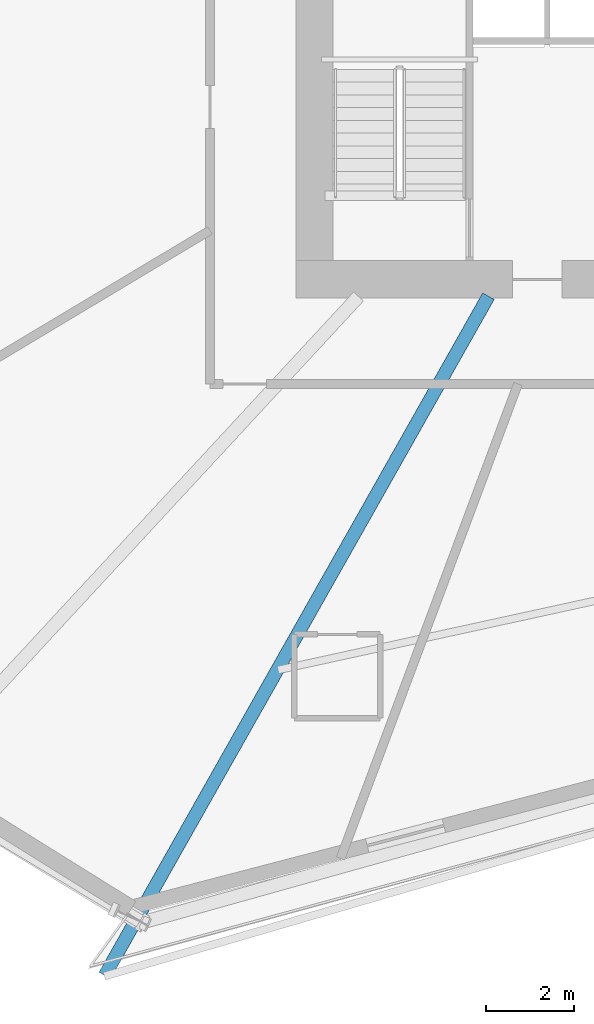
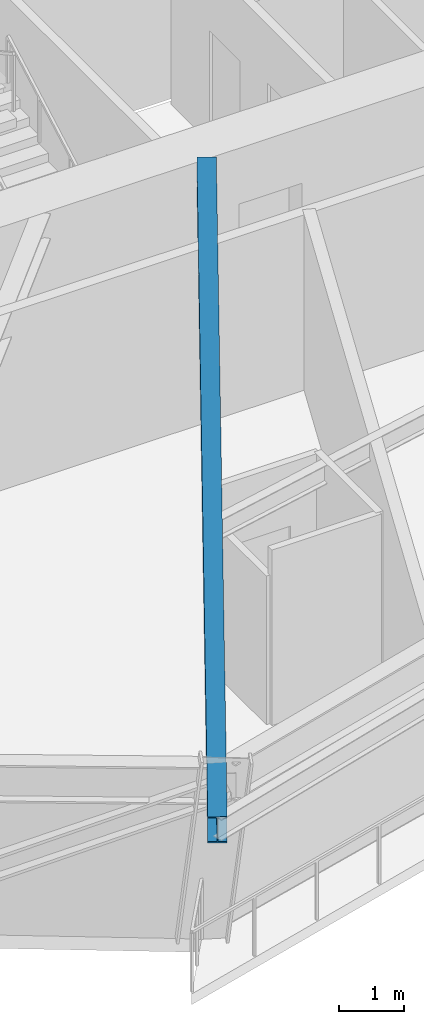
# One storey, part 3 of 20: 1 beam.
"""IFC4 building model written with IfcOpenShell, lengths in metres."""

from ifc_helpers import new_model, si_unit, direction, frame, origin, origin_2d, place, context, subcontext, project, spatial, i_section, extrude, source, transform, mapped, material, material_profile, profile_set, type_object, element, save


model = new_model("IFC4")

# Units and contexts
model_context = context("Model", 3, precision=1e-05, world=origin(), true_north=direction((0.0, 1.0)))
body_context = subcontext(model_context, "Body", "Model", "MODEL_VIEW")
ifc_project = project(units=[si_unit("LENGTHUNIT", "METRE"), si_unit("AREAUNIT", "SQUARE_METRE"), si_unit("VOLUMEUNIT", "CUBIC_METRE"), si_unit("PLANEANGLEUNIT", "RADIAN"), si_unit("MASSUNIT", "GRAM", prefix="KILO")], contexts=[model_context])

# Site, building, storey
site_placement = place(None, origin())
site = spatial("IfcSite", under=ifc_project, at=site_placement, CompositionType="ELEMENT")
building_placement = place(site_placement, origin())
building = spatial("IfcBuilding", under=site, at=building_placement, Name="Olszyna Solenne Hotel", CompositionType="ELEMENT")
storey_placement = place(building_placement, frame((0.0, 0.0, 43.5)))
storey = spatial("IfcBuildingStorey", under=building, at=storey_placement, Name="L10", CompositionType="ELEMENT", Elevation=43.5)

# Beam
ifc_material = material(Name="Steel S355J2", Category="steel")
ifc_material_profile = material_profile(ifc_material, i_section(OverallWidth=0.300048828125, OverallDepth=0.489990234375, WebThickness=0.011962890625, FlangeThickness=0.02294921875, at=origin_2d()), Name="HEA 500", Category="load-bearing")
ifc_profile_set = profile_set([ifc_material_profile], Name="Steel S355J2")
beam_type = type_object("IfcBeamType", Name="BM-G1", PredefinedType="BEAM", material=ifc_profile_set)
shared_shape = source(origin(), body_context, "Body", "SweptSolid", [
    extrude(i_section(OverallWidth=0.300048828125, OverallDepth=0.489990234375, WebThickness=0.011962890625, FlangeThickness=0.02294921875, at=origin_2d()), origin(), (0.0, 0.0, 1.0), 17.725341796875),
])
beam_placement = place(storey_placement, frame((24.91064453125, 3.260498046875, 3.054931640625), z_axis=(0.491825318958, 0.870693893187, 0.0), x_axis=(-0.870693893187, 0.491825318958, 0.0)))
element("IfcBeam", 1, at=beam_placement, inside=storey, type_object=beam_type, Name="Radial floor girder BM-G1 B-L10-0337", PredefinedType="BEAM", context=body_context, shape_type="MappedRepresentation", body=[
    mapped(shared_shape, transform((0.0, 0.0, 0.0), x_axis=(1.0, 0.0, 0.0), y_axis=(0.0, 1.0, 0.0), z_axis=(0.0, 0.0, 1.0), scale=1.0)),
])

save(model, "model.ifc")
